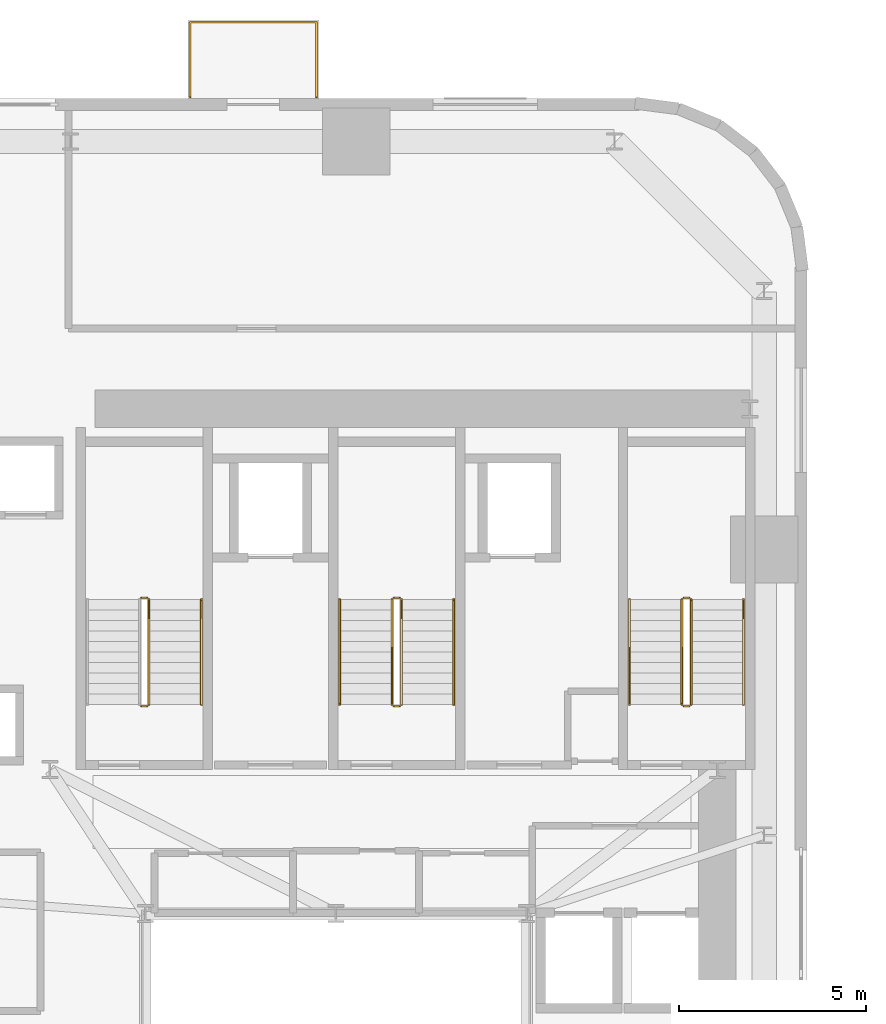
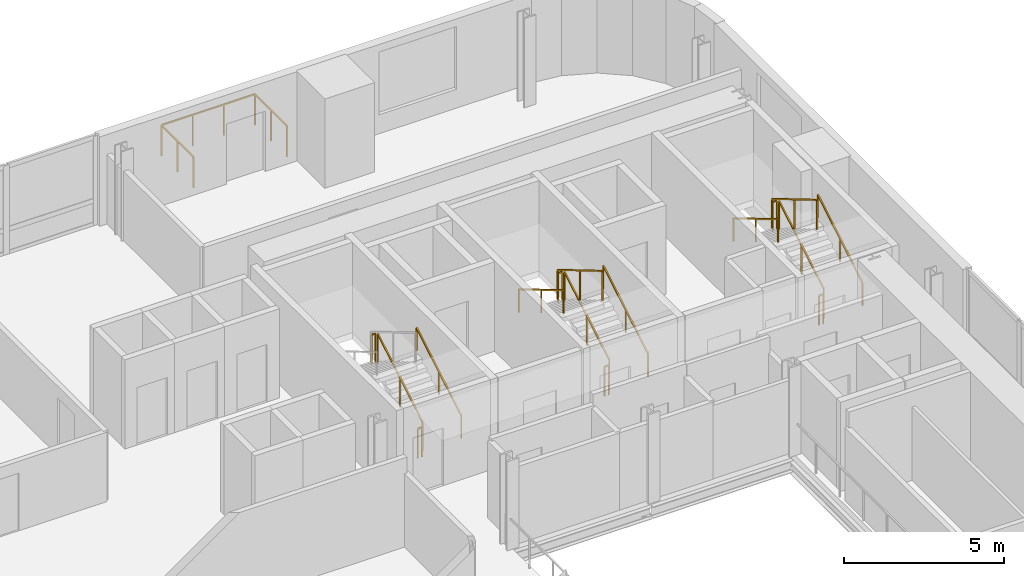
# One storey, part 11 of 11: 17 railings.
"""IFC4 building model written with IfcOpenShell, lengths in metres."""

from ifc_helpers import new_model, si_unit, direction, frame, origin, origin_2d, place, context, subcontext, project, spatial, rectangle, extrude, source, transform, mapped, material, type_object, element, save


model = new_model("IFC4")

# Units and contexts
model_context = context("Model", 3, precision=1e-05, world=origin(), true_north=direction((0.0, 1.0)))
body_context = subcontext(model_context, "Body", "Model", "MODEL_VIEW")
ifc_project = project(units=[si_unit("LENGTHUNIT", "METRE"), si_unit("AREAUNIT", "SQUARE_METRE"), si_unit("VOLUMEUNIT", "CUBIC_METRE"), si_unit("PLANEANGLEUNIT", "RADIAN"), si_unit("MASSUNIT", "GRAM", prefix="KILO")], contexts=[model_context])

# Site, building, storey
site_placement = place(None, origin())
site = spatial("IfcSite", under=ifc_project, at=site_placement, CompositionType="ELEMENT")
building_placement = place(site_placement, origin())
building = spatial("IfcBuilding", under=site, at=building_placement, Name="Vardaveli Station Tower", CompositionType="ELEMENT")
storey_placement = place(building_placement, frame((0.0, 0.0, 78.699951171875)))
storey = spatial("IfcBuildingStorey", under=building, at=storey_placement, Name="L20", CompositionType="ELEMENT", Elevation=78.699951171875)

# Railings
ifc_material_1 = material(Name="Laminated glass and stainless steel balustrade", Category="steel")
railing_type_1 = type_object("IfcRailingType", Name="RL-BAL-1200", PredefinedType="BALUSTRADE", material=ifc_material_1)
shared_shape_1 = source(origin(), body_context, "Body", "SweptSolid", [
    extrude(rectangle(XDim=0.048095703125, YDim=0.048095703125, at=origin_2d()), frame((0.0, 0.0, 1.17578125), z_axis=(0.0, 1.0, 0.0), x_axis=(-1.0, 0.0, 0.0)), (0.0, 0.0, 1.0), 2.0),
    extrude(rectangle(XDim=0.048095703125, YDim=0.048095703125, at=origin_2d()), frame((0.0, 2.0, 1.17578125), z_axis=(1.0, 0.0, 0.0), x_axis=(0.0, 1.0, 0.0)), (0.0, 0.0, 1.0), 3.3798828125),
    extrude(rectangle(XDim=0.048095703125, YDim=0.048095703125, at=origin_2d()), frame((3.3798828125, 2.0, 1.17578125), z_axis=(0.0, -1.0, 0.0), x_axis=(1.0, 0.0, 0.0)), (0.0, 0.0, 1.0), 2.0),
    extrude(rectangle(XDim=0.0419921875, YDim=0.0419921875, at=origin_2d()), origin(), (0.0, 0.0, 1.0), 1.15185546875),
    extrude(rectangle(XDim=0.0419921875, YDim=0.0419921875, at=origin_2d()), frame((0.0, 1.0, 0.0)), (0.0, 0.0, 1.0), 1.15185546875),
    extrude(rectangle(XDim=0.0419921875, YDim=0.0419921875, at=origin_2d()), frame((0.0, 2.0, 0.0)), (0.0, 0.0, 1.0), 1.15185546875),
    extrude(rectangle(XDim=0.0419921875, YDim=0.0419921875, at=origin_2d()), frame((1.126708984375, 2.0, 0.0)), (0.0, 0.0, 1.0), 1.15185546875),
    extrude(rectangle(XDim=0.0419921875, YDim=0.0419921875, at=origin_2d()), frame((2.253173828125, 2.0, 0.0)), (0.0, 0.0, 1.0), 1.15185546875),
    extrude(rectangle(XDim=0.0419921875, YDim=0.0419921875, at=origin_2d()), frame((3.3798828125, 2.0, 0.0)), (0.0, 0.0, 1.0), 1.15185546875),
    extrude(rectangle(XDim=0.0419921875, YDim=0.0419921875, at=origin_2d()), frame((3.3798828125, 1.0, 0.0)), (0.0, 0.0, 1.0), 1.15185546875),
    extrude(rectangle(XDim=0.0419921875, YDim=0.0419921875, at=origin_2d()), frame((3.3798828125, 0.0, 0.0)), (0.0, 0.0, 1.0), 1.15185546875),
])
railing_placement = place(storey_placement, frame((32.399658203125, 48.639892578125, 0.0)))
element("IfcRailing", 1, at=railing_placement, inside=storey, type_object=railing_type_1, Name="RL-LOG-L20-02", PredefinedType="BALUSTRADE", context=body_context, shape_type="MappedRepresentation", body=[
    mapped(shared_shape_1, transform((0.0, 0.0, 0.0), scale=1.0)),
])
ifc_material_2 = material(Name="Brushed AISI 316 stainless steel", Category="steel")
railing_type_2 = type_object("IfcRailingType", Name="RL-GUARD-1150", PredefinedType="GUARDRAIL", material=ifc_material_2)
shared_shape_2 = source(origin(), body_context, "Body", "SweptSolid", [
    extrude(rectangle(XDim=0.048095703125, YDim=0.048095703125, at=origin_2d()), frame((0.0, 0.0, 1.1259765625), z_axis=(-1.0, 0.0, 0.0), x_axis=(0.0, -1.0, 0.0)), (0.0, 0.0, 1.0), 0.14990234375),
    extrude(rectangle(XDim=0.0419921875, YDim=0.0419921875, at=origin_2d()), origin(), (0.0, 0.0, 1.0), 1.101806640625),
    extrude(rectangle(XDim=0.0419921875, YDim=0.0419921875, at=origin_2d()), frame((-0.14990234375, 0.0, 0.0)), (0.0, 0.0, 1.0), 1.101806640625),
])
for number, where, name in (
    (2, (31.25, 35.25, 1.824951171875), "L20 ST-1 stair guard 2"),
    (3, (31.25, 32.35009765625, 0.0), "L20 ST-1 stair guard 4"),
    (4, (38.0, 35.25, 1.824951171875), "L20 ST-2 stair guard 2"),
    (5, (38.0, 32.35009765625, 0.0), "L20 ST-2 stair guard 4"),
    (6, (45.75, 35.25, 1.824951171875), "L20 ST-3 stair guard 2"),
    (7, (45.75, 32.35009765625, 0.0), "L20 ST-3 stair guard 4"),
):
    element("IfcRailing", number, at=place(storey_placement, frame(where)), inside=storey, type_object=railing_type_2, Name=name, PredefinedType="GUARDRAIL", context=body_context, shape_type="MappedRepresentation", body=[
        mapped(shared_shape_2, transform((0.0, 0.0, 0.0), scale=1.0)),
    ])
shared_shape_3 = source(origin(), body_context, "Body", "SweptSolid", [
    extrude(rectangle(XDim=0.048095703125, YDim=0.048095703125, at=origin_2d()), frame((0.0, 0.0, 1.1259765625), z_axis=(0.0, -0.860306154799, 0.50977771628), x_axis=(1.0, 0.0, 0.0)), (0.0, 0.0, 1.0), 3.254638671875),
    extrude(rectangle(XDim=0.0419921875, YDim=0.0419921875, at=origin_2d()), origin(), (0.0, 0.0, 1.0), 1.101806640625),
    extrude(rectangle(XDim=0.0419921875, YDim=0.0419921875, at=origin_2d()), frame((0.0, -1.39990234375, 0.82958984375)), (0.0, 0.0, 1.0), 1.101806640625),
    extrude(rectangle(XDim=0.0419921875, YDim=0.0419921875, at=origin_2d()), frame((0.0, -2.800048828125, 1.6591796875)), (0.0, 0.0, 1.0), 1.101806640625),
])
for number, where, name in (
    (8, (37.800048828125, 35.199951171875, 1.990966796875), "L20 ST-2 stair guard 3"),
    (9, (45.550048828125, 35.199951171875, 1.990966796875), "L20 ST-3 stair guard 3"),
):
    element("IfcRailing", number, at=place(storey_placement, frame(where)), inside=storey, type_object=railing_type_2, Name=name, PredefinedType="GUARDRAIL", context=body_context, shape_type="MappedRepresentation", body=[
        mapped(shared_shape_3, transform((0.0, 0.0, 0.0), scale=1.0)),
    ])
railing_type_3 = type_object("IfcRailingType", Name="RL-HAND-900", PredefinedType="HANDRAIL", material=ifc_material_2)
shared_shape_4 = source(origin(), body_context, "Body", "SweptSolid", [
    extrude(rectangle(XDim=0.048095703125, YDim=0.048095703125, at=origin_2d()), frame((0.0, 0.0, 0.8759765625), z_axis=(0.0, -0.860306154799, 0.50977771628), x_axis=(1.0, 0.0, 0.0)), (0.0, 0.0, 1.0), 3.254638671875),
    extrude(rectangle(XDim=0.0419921875, YDim=0.0419921875, at=origin_2d()), origin(), (0.0, 0.0, 1.0), 0.851806640625),
    extrude(rectangle(XDim=0.0419921875, YDim=0.0419921875, at=origin_2d()), frame((0.0, -1.39990234375, 0.82958984375)), (0.0, 0.0, 1.0), 0.851806640625),
    extrude(rectangle(XDim=0.0419921875, YDim=0.0419921875, at=origin_2d()), frame((0.0, -2.800048828125, 1.6591796875)), (0.0, 0.0, 1.0), 0.851806640625),
])
for number, where, name in (
    (10, (36.39990234375, 35.199951171875, 1.990966796875), "L20 ST-2 stair handrail 2"),
    (11, (44.14990234375, 35.199951171875, 1.990966796875), "L20 ST-3 stair handrail 2"),
):
    element("IfcRailing", number, at=place(storey_placement, frame(where)), inside=storey, type_object=railing_type_3, Name=name, PredefinedType="HANDRAIL", context=body_context, shape_type="MappedRepresentation", body=[
        mapped(shared_shape_4, transform((0.0, 0.0, 0.0), scale=1.0)),
    ])
shared_shape_5 = source(origin(), body_context, "Body", "SweptSolid", [
    extrude(rectangle(XDim=0.048095703125, YDim=0.048095703125, at=origin_2d()), frame((0.0, 0.0, 1.1259765625), z_axis=(0.0, 0.860339051648, 0.50972219513), x_axis=(-1.0, 0.0, 0.0)), (0.0, 0.0, 1.0), 3.254638671875),
    extrude(rectangle(XDim=0.0419921875, YDim=0.0419921875, at=origin_2d()), origin(), (0.0, 0.0, 1.0), 1.101806640625),
    extrude(rectangle(XDim=0.0419921875, YDim=0.0419921875, at=origin_2d()), frame((0.0, 1.39990234375, 0.82958984375)), (0.0, 0.0, 1.0), 1.101806640625),
    extrude(rectangle(XDim=0.0419921875, YDim=0.0419921875, at=origin_2d()), frame((0.0, 2.800048828125, 1.658935546875)), (0.0, 0.0, 1.0), 1.101806640625),
])
for number, where, name in (
    (12, (31.300048828125, 32.39990234375, 0.166015625), "L20 ST-1 stair guard 1"),
    (13, (38.050048828125, 32.39990234375, 0.166015625), "L20 ST-2 stair guard 1"),
    (14, (45.800048828125, 32.39990234375, 0.166015625), "L20 ST-3 stair guard 1"),
):
    element("IfcRailing", number, at=place(storey_placement, frame(where)), inside=storey, type_object=railing_type_2, Name=name, PredefinedType="GUARDRAIL", context=body_context, shape_type="MappedRepresentation", body=[
        mapped(shared_shape_5, transform((0.0, 0.0, 0.0), scale=1.0)),
    ])
shared_shape_6 = source(origin(), body_context, "Body", "SweptSolid", [
    extrude(rectangle(XDim=0.048095703125, YDim=0.048095703125, at=origin_2d()), frame((0.0, 0.0, 0.8759765625), z_axis=(0.0, 0.860339051648, 0.50972219513), x_axis=(-1.0, 0.0, 0.0)), (0.0, 0.0, 1.0), 3.254638671875),
    extrude(rectangle(XDim=0.0419921875, YDim=0.0419921875, at=origin_2d()), origin(), (0.0, 0.0, 1.0), 0.851806640625),
    extrude(rectangle(XDim=0.0419921875, YDim=0.0419921875, at=origin_2d()), frame((0.0, 1.39990234375, 0.82958984375)), (0.0, 0.0, 1.0), 0.851806640625),
    extrude(rectangle(XDim=0.0419921875, YDim=0.0419921875, at=origin_2d()), frame((0.0, 2.800048828125, 1.658935546875)), (0.0, 0.0, 1.0), 0.851806640625),
])
for number, where, name in (
    (15, (32.699951171875, 32.39990234375, 0.166015625), "L20 ST-1 stair handrail 1"),
    (16, (39.449951171875, 32.39990234375, 0.166015625), "L20 ST-2 stair handrail 1"),
    (17, (47.199951171875, 32.39990234375, 0.166015625), "L20 ST-3 stair handrail 1"),
):
    element("IfcRailing", number, at=place(storey_placement, frame(where)), inside=storey, type_object=railing_type_3, Name=name, PredefinedType="HANDRAIL", context=body_context, shape_type="MappedRepresentation", body=[
        mapped(shared_shape_6, transform((0.0, 0.0, 0.0), scale=1.0)),
    ])

save(model, "model.ifc")
